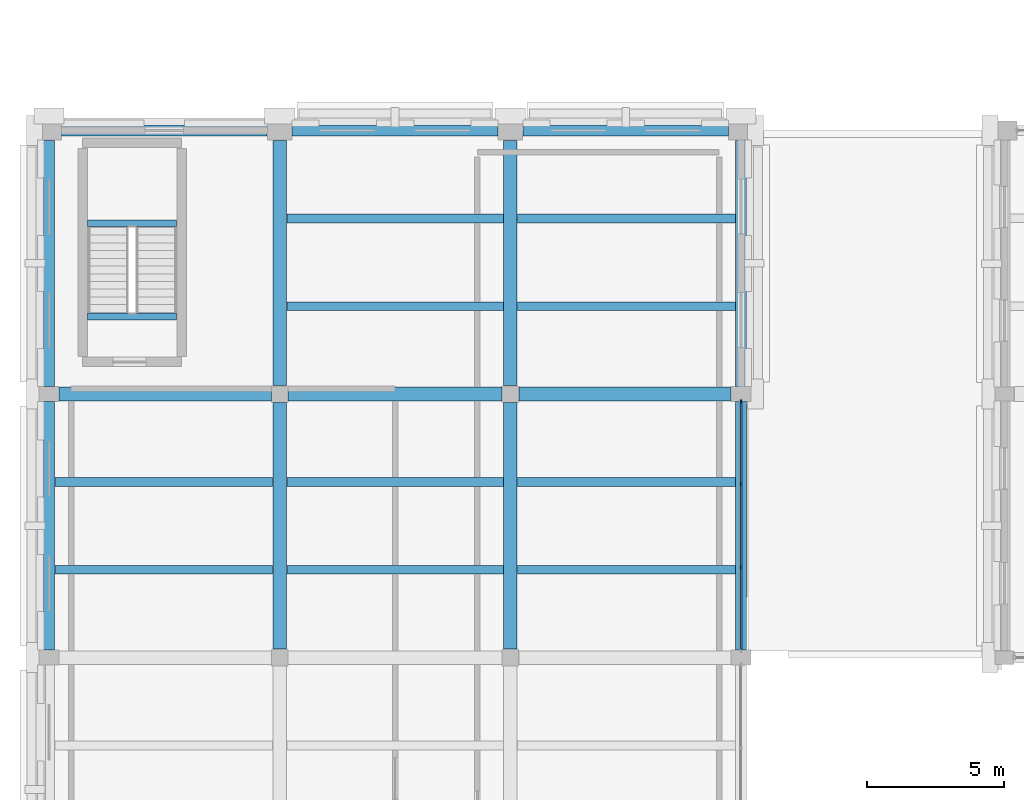
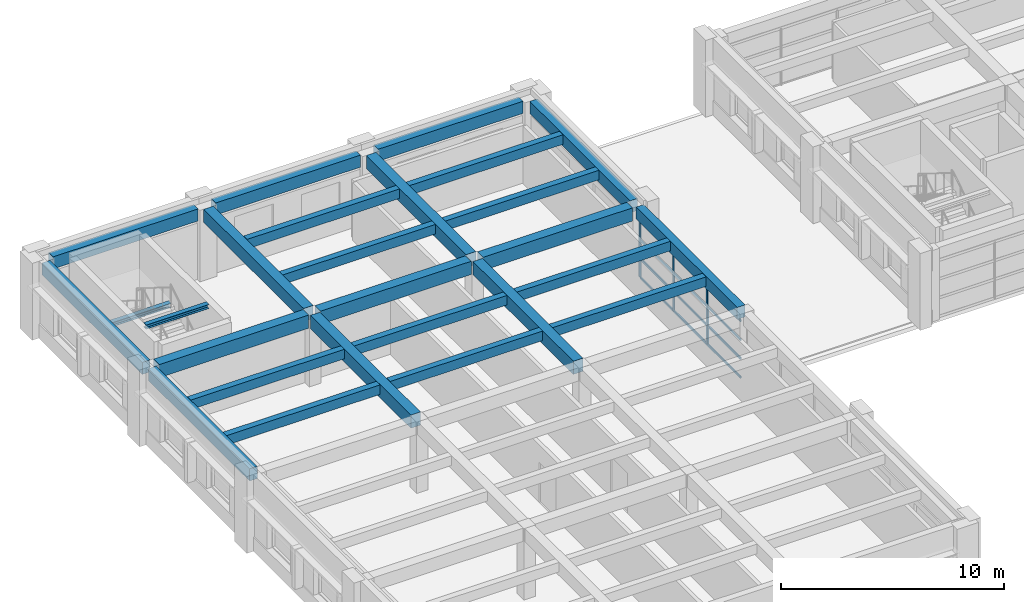
# One storey, part 27 of 71: 26 beams, 7 members, 1 element without a shape of its own.
"""IFC4 building model written with IfcOpenShell, lengths in metres."""

from ifc_helpers import new_model, si_unit, direction, frame, origin, origin_2d, place, context, subcontext, project, spatial, rectangle, i_section, extrude, material, layer, layer_set, material_profile, profile_set, type_object, element, aggregate, save


model = new_model("IFC4")

# Units and contexts
model_context = context("Model", 3, precision=1e-05, world=origin(), true_north=direction((0.0, 1.0)))
body_context = subcontext(model_context, "Body", "Model", "MODEL_VIEW")
ifc_project = project(units=[si_unit("LENGTHUNIT", "METRE"), si_unit("AREAUNIT", "SQUARE_METRE"), si_unit("VOLUMEUNIT", "CUBIC_METRE"), si_unit("PLANEANGLEUNIT", "RADIAN"), si_unit("MASSUNIT", "GRAM", prefix="KILO")], contexts=[model_context])

# Site, building, storey
site_placement = place(None, origin())
site = spatial("IfcSite", under=ifc_project, at=site_placement, CompositionType="ELEMENT")
building_placement = place(site_placement, origin())
building = spatial("IfcBuilding", under=site, at=building_placement, Name="Bempovik Park Faculty of Sciences", CompositionType="ELEMENT")
storey_placement = place(building_placement, frame((0.0, 0.0, 14.10009765625)))
storey = spatial("IfcBuildingStorey", under=building, at=storey_placement, Name="L03", CompositionType="ELEMENT", Elevation=14.10009765625)

# Beams
ifc_material_1 = material(Name="Concrete C35/45", Category="concrete")
ifc_material_profile_1 = material_profile(ifc_material_1, rectangle(XDim=0.320068359375, YDim=0.52001953125, at=origin_2d()), Name="RC 320x520")
ifc_profile_set_1 = profile_set([ifc_material_profile_1], Name="Concrete C35/45")
beam_type_1 = type_object("IfcBeamType", Name="B-028 RC 320x520", PredefinedType="JOIST", material=ifc_profile_set_1)
for number, where, z_axis, x_axis, name in (
    (1, (15.805908203125, 71.0, 3.639892578125), (1.0, 0.0, 0.0), (0.0, 1.0, 0.0), "L03 Secondary Joist (15.6-24.0, y=71.00)"),
    (2, (15.805908203125, 74.199951171875, 3.639892578125), (1.0, 0.0, 0.0), (0.0, 1.0, 0.0), "L03 Secondary Joist (15.6-24.0, y=74.20)"),
):
    element("IfcBeam", number, at=place(storey_placement, frame(where, z_axis=z_axis, x_axis=x_axis)), inside=storey, type_object=beam_type_1, Name=name, PredefinedType="JOIST", context=body_context, shape_type="SweptSolid", body=[
        extrude(rectangle(XDim=0.320068359375, YDim=0.52001953125, at=origin_2d()), origin(), (0.0, 0.0, 1.0), 7.93798828125),
    ])
for number, where, z_axis, x_axis, name in (
    (3, (24.256103515625, 71.0, 3.639892578125), (1.0, 0.0, 0.0), (0.0, 1.0, 0.0), "L03 Secondary Joist (24.0-32.4, y=71.00)"),
    (4, (24.256103515625, 74.199951171875, 3.639892578125), (1.0, 0.0, 0.0), (0.0, 1.0, 0.0), "L03 Secondary Joist (24.0-32.4, y=74.20)"),
    (5, (24.256103515625, 80.60009765625, 3.639892578125), (1.0, 0.0, 0.0), (0.0, 1.0, 0.0), "L03 Secondary Joist (24.0-32.4, y=80.60)"),
    (6, (24.256103515625, 83.800048828125, 3.639892578125), (1.0, 0.0, 0.0), (0.0, 1.0, 0.0), "L03 Secondary Joist (24.0-32.4, y=83.80)"),
):
    element("IfcBeam", number, at=place(storey_placement, frame(where, z_axis=z_axis, x_axis=x_axis)), inside=storey, type_object=beam_type_1, Name=name, PredefinedType="JOIST", context=body_context, shape_type="SweptSolid", body=[
        extrude(rectangle(XDim=0.320068359375, YDim=0.52001953125, at=origin_2d()), origin(), (0.0, 0.0, 1.0), 7.887939453125),
    ])
for number, where, z_axis, x_axis, name in (
    (7, (32.656005859375, 71.0, 3.639892578125), (1.0, 0.0, 0.0), (0.0, 1.0, 0.0), "L03 Secondary Joist (32.4-40.8, y=71.00)"),
    (8, (32.656005859375, 74.199951171875, 3.639892578125), (1.0, 0.0, 0.0), (0.0, 1.0, 0.0), "L03 Secondary Joist (32.4-40.8, y=74.20)"),
    (9, (32.656005859375, 80.60009765625, 3.639892578125), (1.0, 0.0, 0.0), (0.0, 1.0, 0.0), "L03 Secondary Joist (32.4-40.8, y=80.60)"),
    (10, (32.656005859375, 83.800048828125, 3.639892578125), (1.0, 0.0, 0.0), (0.0, 1.0, 0.0), "L03 Secondary Joist (32.4-40.8, y=83.80)"),
):
    element("IfcBeam", number, at=place(storey_placement, frame(where, z_axis=z_axis, x_axis=x_axis)), inside=storey, type_object=beam_type_1, Name=name, PredefinedType="JOIST", context=body_context, shape_type="SweptSolid", body=[
        extrude(rectangle(XDim=0.320068359375, YDim=0.52001953125, at=origin_2d()), origin(), (0.0, 0.0, 1.0), 7.93798828125),
    ])
ifc_material_2 = material(Name="Steel S355", Category="steel")
ifc_material_profile_2 = material_profile(ifc_material_2, i_section(OverallWidth=0.239990234375, OverallDepth=0.22998046875, WebThickness=0.007568359375, FlangeThickness=0.011962890625, at=origin_2d()), Name="HEA 240")
ifc_profile_set_2 = profile_set([ifc_material_profile_2], Name="Steel S355")
beam_type_2 = type_object("IfcBeamType", Name="B-070 HEA 240", PredefinedType="BEAM", material=ifc_profile_set_2)
for number, where, z_axis, x_axis, name in (
    (11, (17.006103515625, 83.61865234375, 1.784912109375), (1.0, 0.0, 0.0), (0.0, 1.0, 0.0), "L03 ST-3 Half-Landing Trimmer Beam"),
    (12, (17.006103515625, 80.22509765625, 3.784912109375), (1.0, 0.0, 0.0), (0.0, 1.0, 0.0), "L04 ST-3 Floor Landing Trimmer Beam"),
):
    element("IfcBeam", number, at=place(storey_placement, frame(where, z_axis=z_axis, x_axis=x_axis)), inside=storey, type_object=beam_type_2, Name=name, PredefinedType="BEAM", context=body_context, shape_type="SweptSolid", body=[
        extrude(i_section(OverallWidth=0.239990234375, OverallDepth=0.22998046875, WebThickness=0.007568359375, FlangeThickness=0.011962890625, at=origin_2d()), origin(), (0.0, 0.0, 1.0), 3.23779296875),
    ])
ifc_material_profile_3 = material_profile(ifc_material_1, rectangle(XDim=0.5, YDim=0.719970703125, at=origin_2d()), Name="RC 500x720")
ifc_profile_set_3 = profile_set([ifc_material_profile_3], Name="Concrete C35/45")
beam_type_3 = type_object("IfcBeamType", Name="B-092 RC 500x720", PredefinedType="BEAM", material=ifc_profile_set_3)
beam_1_placement = place(storey_placement, frame((15.966064453125, 77.39990234375, 3.539794921875), z_axis=(1.0, 0.0, 0.0), x_axis=(0.0, 1.0, 0.0)))
element("IfcBeam", 13, at=beam_1_placement, inside=storey, type_object=beam_type_3, Name="L03 Beam X (15.6-24.0, y=77.4)", PredefinedType="BEAM", context=body_context, shape_type="SweptSolid", body=[
    extrude(rectangle(XDim=0.5, YDim=0.719970703125, at=origin_2d()), origin(), (0.0, 0.0, 1.0), 7.72802734375),
])
beam_2_placement = place(storey_placement, frame((24.305908203125, 77.39990234375, 3.539794921875), z_axis=(1.0, 0.0, 0.0), x_axis=(0.0, 1.0, 0.0)))
element("IfcBeam", 14, at=beam_2_placement, inside=storey, type_object=beam_type_3, Name="L03 Beam X (24.0-32.4, y=77.4)", PredefinedType="BEAM", context=body_context, shape_type="SweptSolid", body=[
    extrude(rectangle(XDim=0.5, YDim=0.719970703125, at=origin_2d()), origin(), (0.0, 0.0, 1.0), 7.7880859375),
])
beam_3_placement = place(storey_placement, frame((32.7060546875, 77.39990234375, 3.539794921875), z_axis=(1.0, 0.0, 0.0), x_axis=(0.0, 1.0, 0.0)))
element("IfcBeam", 15, at=beam_3_placement, inside=storey, type_object=beam_type_3, Name="L03 Beam X (32.4-40.8, y=77.4)", PredefinedType="BEAM", context=body_context, shape_type="SweptSolid", body=[
    extrude(rectangle(XDim=0.5, YDim=0.719970703125, at=origin_2d()), origin(), (0.0, 0.0, 1.0), 7.72802734375),
])
beam_4_placement = place(storey_placement, frame((24.0, 68.10595703125, 3.539794921875), z_axis=(0.0, 1.0, 0.0), x_axis=(-1.0, 0.0, 0.0)))
element("IfcBeam", 16, at=beam_4_placement, inside=storey, type_object=beam_type_3, Name="L03 Beam Y (x=24.0, 67.8-77.4)", PredefinedType="BEAM", context=body_context, shape_type="SweptSolid", body=[
    extrude(rectangle(XDim=0.5, YDim=0.719970703125, at=origin_2d()), origin(), (0.0, 0.0, 1.0), 8.988037109375),
])
beam_5_placement = place(storey_placement, frame((24.0, 77.7060546875, 3.539794921875), z_axis=(0.0, 1.0, 0.0), x_axis=(-1.0, 0.0, 0.0)))
element("IfcBeam", 17, at=beam_5_placement, inside=storey, type_object=beam_type_3, Name="L03 Beam Y (x=24.0, 77.4-87.0)", PredefinedType="BEAM", context=body_context, shape_type="SweptSolid", body=[
    extrude(rectangle(XDim=0.5, YDim=0.719970703125, at=origin_2d()), origin(), (0.0, 0.0, 1.0), 8.93798828125),
])
beam_6_placement = place(storey_placement, frame((32.39990234375, 68.10595703125, 3.539794921875), z_axis=(0.0, 1.0, 0.0), x_axis=(-1.0, 0.0, 0.0)))
element("IfcBeam", 18, at=beam_6_placement, inside=storey, type_object=beam_type_3, Name="L03 Beam Y (x=32.4, 67.8-77.4)", PredefinedType="BEAM", context=body_context, shape_type="SweptSolid", body=[
    extrude(rectangle(XDim=0.5, YDim=0.719970703125, at=origin_2d()), origin(), (0.0, 0.0, 1.0), 8.988037109375),
])
beam_7_placement = place(storey_placement, frame((32.39990234375, 77.7060546875, 3.539794921875), z_axis=(0.0, 1.0, 0.0), x_axis=(-1.0, 0.0, 0.0)))
element("IfcBeam", 19, at=beam_7_placement, inside=storey, type_object=beam_type_3, Name="L03 Beam Y (x=32.4, 77.4-87.0)", PredefinedType="BEAM", context=body_context, shape_type="SweptSolid", body=[
    extrude(rectangle(XDim=0.5, YDim=0.719970703125, at=origin_2d()), origin(), (0.0, 0.0, 1.0), 8.93798828125),
])
ifc_material_profile_4 = material_profile(ifc_material_1, rectangle(XDim=0.39990234375, YDim=0.659912109375, at=origin_2d()), Name="RC 400x660")
ifc_profile_set_4 = profile_set([ifc_material_profile_4], Name="Concrete C35/45")
beam_type_4 = type_object("IfcBeamType", Name="B-097 RC 400x660", PredefinedType="SPANDREL", material=ifc_profile_set_4)
for number, where, z_axis, x_axis, name in (
    (20, (16.055908203125, 87.0, 3.56982421875), (1.0, 0.0, 0.0), (0.0, 1.0, 0.0), "L03 Beam X (15.6-24.0, y=87.0)"),
    (21, (24.4560546875, 87.0, 3.56982421875), (1.0, 0.0, 0.0), (0.0, 1.0, 0.0), "L03 Beam X (24.0-32.4, y=87.0)"),
    (22, (32.85595703125, 87.0, 3.56982421875), (1.0, 0.0, 0.0), (0.0, 1.0, 0.0), "L03 Beam X (32.4-40.8, y=87.0)"),
):
    element("IfcBeam", number, at=place(storey_placement, frame(where, z_axis=z_axis, x_axis=x_axis)), inside=storey, type_object=beam_type_4, Name=name, PredefinedType="SPANDREL", context=body_context, shape_type="SweptSolid", body=[
        extrude(rectangle(XDim=0.39990234375, YDim=0.659912109375, at=origin_2d()), origin(), (0.0, 0.0, 1.0), 7.488037109375),
    ])
beam_8_placement = place(storey_placement, frame((15.60009765625, 68.075927734375, 3.56982421875), z_axis=(0.0, 1.0, 0.0), x_axis=(-1.0, 0.0, 0.0)))
element("IfcBeam", 23, at=beam_8_placement, inside=storey, type_object=beam_type_4, Name="L03 Beam Y (x=15.6, 67.8-77.4)", PredefinedType="SPANDREL", context=body_context, shape_type="SweptSolid", body=[
    extrude(rectangle(XDim=0.39990234375, YDim=0.659912109375, at=origin_2d()), origin(), (0.0, 0.0, 1.0), 9.048095703125),
])
beam_9_placement = place(storey_placement, frame((15.60009765625, 77.676025390625, 3.56982421875), z_axis=(0.0, 1.0, 0.0), x_axis=(-1.0, 0.0, 0.0)))
element("IfcBeam", 24, at=beam_9_placement, inside=storey, type_object=beam_type_4, Name="L03 Beam Y (x=15.6, 77.4-87.0)", PredefinedType="SPANDREL", context=body_context, shape_type="SweptSolid", body=[
    extrude(rectangle(XDim=0.39990234375, YDim=0.659912109375, at=origin_2d()), origin(), (0.0, 0.0, 1.0), 8.968017578125),
])
beam_10_placement = place(storey_placement, frame((40.800048828125, 68.075927734375, 3.56982421875), z_axis=(0.0, 1.0, 0.0), x_axis=(-1.0, 0.0, 0.0)))
element("IfcBeam", 25, at=beam_10_placement, inside=storey, type_object=beam_type_4, Name="L03 Beam Y (x=40.8, 67.8-77.4)", PredefinedType="SPANDREL", context=body_context, shape_type="SweptSolid", body=[
    extrude(rectangle(XDim=0.39990234375, YDim=0.659912109375, at=origin_2d()), origin(), (0.0, 0.0, 1.0), 9.048095703125),
])
beam_11_placement = place(storey_placement, frame((40.800048828125, 77.676025390625, 3.56982421875), z_axis=(0.0, 1.0, 0.0), x_axis=(-1.0, 0.0, 0.0)))
element("IfcBeam", 26, at=beam_11_placement, inside=storey, type_object=beam_type_4, Name="L03 Beam Y (x=40.8, 77.4-87.0)", PredefinedType="SPANDREL", context=body_context, shape_type="SweptSolid", body=[
    extrude(rectangle(XDim=0.39990234375, YDim=0.659912109375, at=origin_2d()), origin(), (0.0, 0.0, 1.0), 8.968017578125),
])

# Curtain wall, members
ifc_material_3 = material(Name="Tempered laminated low-E glass", Category="glass")
ifc_layer = layer(ifc_material_3, 0.159912109375)
ifc_layer_set = layer_set([ifc_layer], Name="Tempered laminated low-E glass")
curtain_wall_type = type_object("IfcCurtainWallType", Name="CW-42 Curtain 6400x3700", PredefinedType="USERDEFINED", material=ifc_layer_set)
curtain_wall_placement = place(storey_placement, origin())
curtain_wall = element("IfcCurtainWall", 27, at=curtain_wall_placement, inside=storey, type_object=curtain_wall_type, Name="L03 Unitised Curtain Wall (40.8,67.8)", ObjectType="UNITISED CURTAIN WALL", PredefinedType="USERDEFINED")
ifc_material_4 = material(Name="Anodised aluminium", Category="aluminium")
ifc_material_profile_5 = material_profile(ifc_material_4, rectangle(XDim=0.06005859375, YDim=0.14501953125, at=origin_2d()), Name="ALU-M 60x145")
ifc_profile_set_5 = profile_set([ifc_material_profile_5], Name="Anodised aluminium")
member_type_1 = type_object("IfcMemberType", Name="ML-22 ALU-M 60x145", PredefinedType="MULLION", material=ifc_profile_set_5)
member_1_placement = place(storey_placement, frame((40.800048828125, 71.0908203125, 0.0), z_axis=(0.0, 0.0, 1.0), x_axis=(1.0, 0.0, 0.0)))
member_1 = element("IfcMember", 28, at=member_1_placement, type_object=member_type_1, Name="CW-BAY-L03-408-678 Mullion 1", PredefinedType="MULLION", context=body_context, shape_type="SweptSolid", body=[
    extrude(rectangle(XDim=0.06005859375, YDim=0.14501953125, at=origin_2d()), origin(), (0.0, 0.0, 1.0), 3.079833984375),
])
member_2_placement = place(storey_placement, frame((40.800048828125, 74.109375, 0.0), z_axis=(0.0, 0.0, 1.0), x_axis=(1.0, 0.0, 0.0)))
member_2 = element("IfcMember", 29, at=member_2_placement, type_object=member_type_1, Name="CW-BAY-L03-408-678 Mullion 2", PredefinedType="MULLION", context=body_context, shape_type="SweptSolid", body=[
    extrude(rectangle(XDim=0.06005859375, YDim=0.14501953125, at=origin_2d()), origin(), (0.0, 0.0, 1.0), 3.079833984375),
])
member_3_placement = place(storey_placement, frame((40.800048828125, 77.1279296875, 0.0), z_axis=(0.0, 0.0, 1.0), x_axis=(1.0, 0.0, 0.0)))
member_3 = element("IfcMember", 30, at=member_3_placement, type_object=member_type_1, Name="CW-BAY-L03-408-678 Mullion 3", PredefinedType="MULLION", context=body_context, shape_type="SweptSolid", body=[
    extrude(rectangle(XDim=0.06005859375, YDim=0.14501953125, at=origin_2d()), origin(), (0.0, 0.0, 1.0), 3.079833984375),
])
ifc_material_profile_6 = material_profile(ifc_material_4, rectangle(XDim=0.06005859375, YDim=0.1201171875, at=origin_2d()), Name="ALU-T 60x120")
ifc_profile_set_6 = profile_set([ifc_material_profile_6], Name="Anodised aluminium")
member_type_2 = type_object("IfcMemberType", Name="TR-30 ALU-T 60x120", PredefinedType="USERDEFINED", material=ifc_profile_set_6)
member_4_placement = place(storey_placement, frame((40.800048828125, 68.112060546875, 0.0), z_axis=(0.0, 1.0, 0.0), x_axis=(-1.0, 0.0, 0.0)))
member_4 = element("IfcMember", 31, at=member_4_placement, type_object=member_type_2, Name="CW-BAY-L03-408-678 Transom 0", ObjectType="TRANSOM", PredefinedType="USERDEFINED", context=body_context, shape_type="SweptSolid", body=[
    extrude(rectangle(XDim=0.06005859375, YDim=0.1201171875, at=origin_2d()), origin(), (0.0, 0.0, 1.0), 8.975830078125),
])
member_5_placement = place(storey_placement, frame((40.800048828125, 68.112060546875, 1.026611328125), z_axis=(0.0, 1.0, 0.0), x_axis=(-1.0, 0.0, 0.0)))
member_5 = element("IfcMember", 32, at=member_5_placement, type_object=member_type_2, Name="CW-BAY-L03-408-678 Transom 1", ObjectType="TRANSOM", PredefinedType="USERDEFINED", context=body_context, shape_type="SweptSolid", body=[
    extrude(rectangle(XDim=0.06005859375, YDim=0.1201171875, at=origin_2d()), origin(), (0.0, 0.0, 1.0), 8.975830078125),
])
member_6_placement = place(storey_placement, frame((40.800048828125, 68.112060546875, 2.05322265625), z_axis=(0.0, 1.0, 0.0), x_axis=(-1.0, 0.0, 0.0)))
member_6 = element("IfcMember", 33, at=member_6_placement, type_object=member_type_2, Name="CW-BAY-L03-408-678 Transom 2", ObjectType="TRANSOM", PredefinedType="USERDEFINED", context=body_context, shape_type="SweptSolid", body=[
    extrude(rectangle(XDim=0.06005859375, YDim=0.1201171875, at=origin_2d()), origin(), (0.0, 0.0, 1.0), 8.975830078125),
])
member_7_placement = place(storey_placement, frame((40.800048828125, 68.112060546875, 3.079833984375), z_axis=(0.0, 1.0, 0.0), x_axis=(-1.0, 0.0, 0.0)))
member_7 = element("IfcMember", 34, at=member_7_placement, type_object=member_type_2, Name="CW-BAY-L03-408-678 Transom 3", ObjectType="TRANSOM", PredefinedType="USERDEFINED", context=body_context, shape_type="SweptSolid", body=[
    extrude(rectangle(XDim=0.06005859375, YDim=0.1201171875, at=origin_2d()), origin(), (0.0, 0.0, 1.0), 8.975830078125),
])
aggregate(curtain_wall, [member_1, member_2, member_3, member_4, member_5, member_6, member_7])

save(model, "model.ifc")
